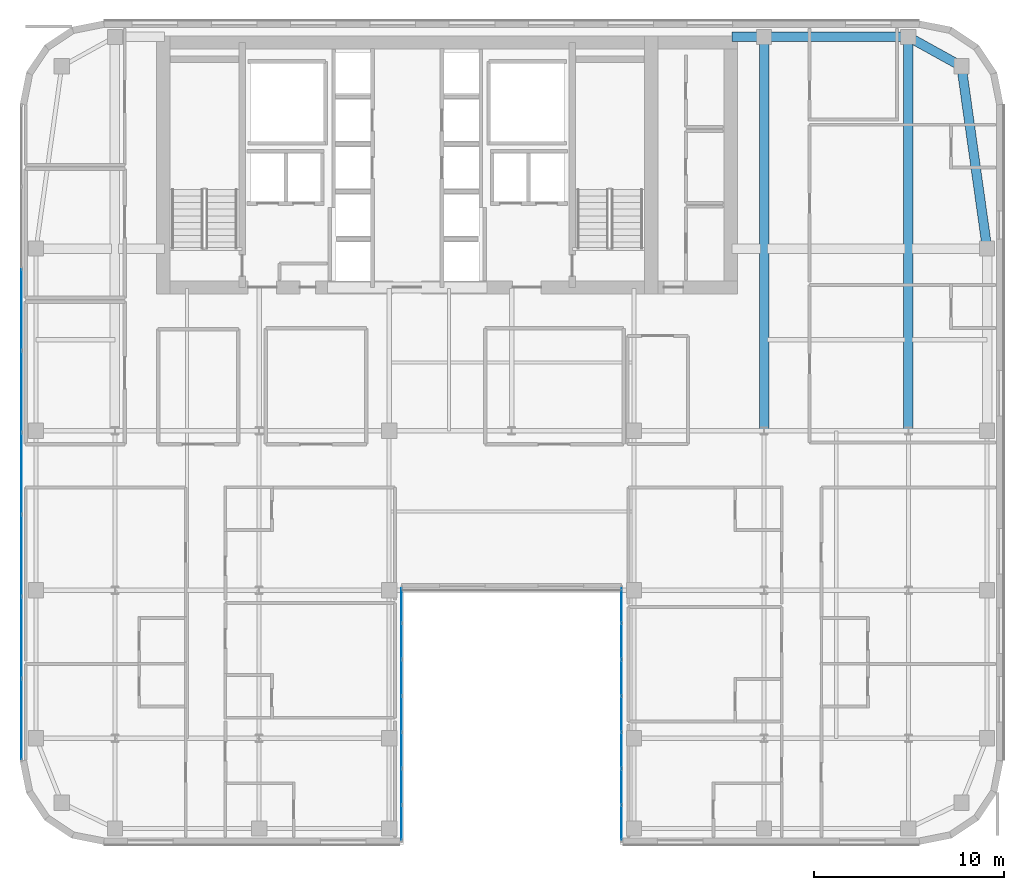
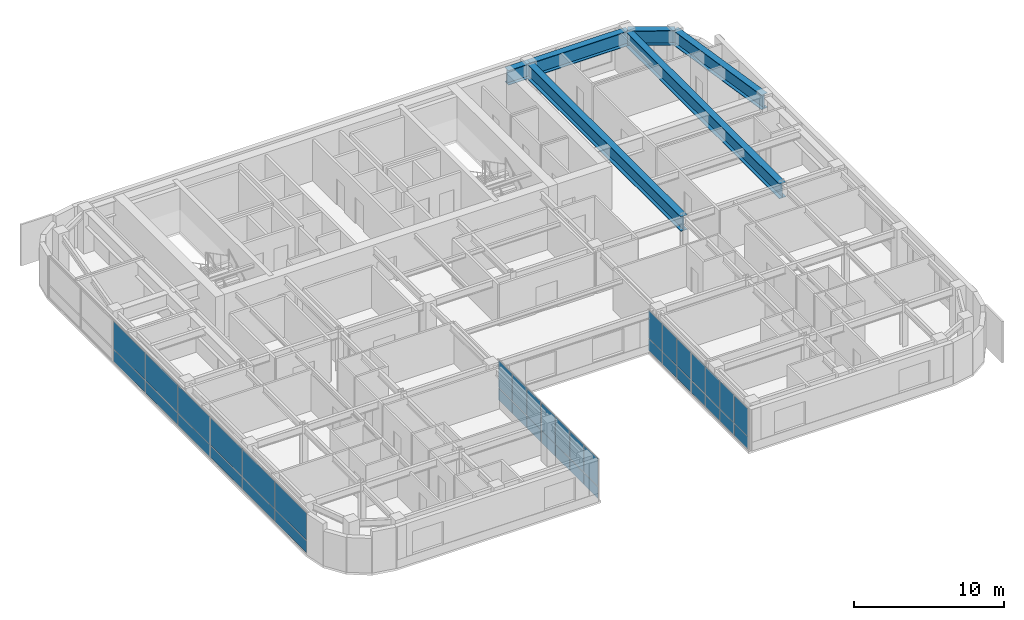
# One storey, part 16 of 28: 40 plates, 6 beams, 3 elements without a shape of their own.
"""IFC4 building model written with IfcOpenShell, lengths in metres."""

from ifc_helpers import new_model, si_unit, direction, frame, origin, origin_2d, place, context, subcontext, project, spatial, rectangle, i_section, extrude, source, transform, mapped, material, layer, layer_set, material_profile, profile_set, type_object, type_shapes, element, aggregate, save


model = new_model("IFC4")

# Units and contexts
model_context = context("Model", 3, precision=1e-05, world=origin(), true_north=direction((0.0, 1.0)))
body_context = subcontext(model_context, "Body", "Model", "MODEL_VIEW")
ifc_project = project(units=[si_unit("LENGTHUNIT", "METRE"), si_unit("AREAUNIT", "SQUARE_METRE"), si_unit("VOLUMEUNIT", "CUBIC_METRE"), si_unit("PLANEANGLEUNIT", "RADIAN"), si_unit("MASSUNIT", "GRAM", prefix="KILO")], contexts=[model_context])

# Site, building, storey
site_placement = place(None, origin())
site = spatial("IfcSite", under=ifc_project, at=site_placement, CompositionType="ELEMENT")
building_placement = place(site_placement, origin())
building = spatial("IfcBuilding", under=site, at=building_placement, Name="Tolvann Quenvar Hotel", CompositionType="ELEMENT")
storey_placement = place(building_placement, frame((0.0, 0.0, 198.199951171875)))
storey = spatial("IfcBuildingStorey", under=building, at=storey_placement, Name="L52", CompositionType="ELEMENT", Elevation=198.199951171875)

# Beams
ifc_material_1 = material(Name="Steel Grade 350", Category="steel")
ifc_material_profile = material_profile(ifc_material_1, i_section(OverallWidth=0.5, OverallDepth=1.199951171875, WebThickness=0.01611328125, FlangeThickness=0.0400390625, at=origin_2d()), Name="1200WB455")
ifc_profile_set = profile_set([ifc_material_profile], Name="Steel Grade 350")
beam_type = type_object("IfcBeamType", Name="BM_TG_1200WB455", PredefinedType="USERDEFINED", material=ifc_profile_set)
shared_shape_1 = source(origin(), body_context, "Body", "SweptSolid", [
    extrude(i_section(OverallWidth=0.5, OverallDepth=1.199951171875, WebThickness=0.01611328125, FlangeThickness=0.0400390625, at=origin_2d()), origin(), (0.0, 0.0, 1.0), 7.599853515625),
])
beam_1_placement = place(storey_placement, frame((49.39990234375, 45.14990234375, 2.77001953125), z_axis=(-1.0, 0.0, 0.0), x_axis=(0.0, -1.0, 0.0)))
element("IfcBeam", 1, at=beam_1_placement, inside=storey, type_object=beam_type, Name="BM-L52-FLK-E4", ObjectType="TRANSFER GIRDER", PredefinedType="USERDEFINED", context=body_context, shape_type="MappedRepresentation", body=[
    mapped(shared_shape_1, transform((0.0, 0.0, 0.0), x_axis=(1.0, 0.0, 0.0), y_axis=(0.0, 1.0, 0.0), z_axis=(0.0, 0.0, 1.0), scale=1.0)),
])
shared_shape_2 = source(origin(), body_context, "Body", "SweptSolid", [
    extrude(i_section(OverallWidth=0.5, OverallDepth=1.199951171875, WebThickness=0.01611328125, FlangeThickness=0.0400390625, at=origin_2d()), origin(), (0.0, 0.0, 1.0), 20.75),
])
for number, where, z_axis, x_axis, name in (
    (2, (41.800048828125, 24.39990234375, 2.77001953125), (0.0, 1.0, 0.0), (-1.0, 0.0, 0.0), "BM-L52-FLK-EH"),
    (3, (49.39990234375, 24.39990234375, 2.77001953125), (0.0, 1.0, 0.0), (-1.0, 0.0, 0.0), "BM-L52-FLK-EI"),
):
    element("IfcBeam", number, at=place(storey_placement, frame(where, z_axis=z_axis, x_axis=x_axis)), inside=storey, type_object=beam_type, Name=name, ObjectType="TRANSFER GIRDER", PredefinedType="USERDEFINED", context=body_context, shape_type="MappedRepresentation", body=[
        mapped(shared_shape_2, transform((0.0, 0.0, 0.0), x_axis=(1.0, 0.0, 0.0), y_axis=(0.0, 1.0, 0.0), z_axis=(0.0, 0.0, 1.0), scale=1.0)),
    ])
shared_shape_3 = source(origin(), body_context, "Body", "SweptSolid", [
    extrude(i_section(OverallWidth=0.5, OverallDepth=1.199951171875, WebThickness=0.01611328125, FlangeThickness=0.0400390625, at=origin_2d()), origin(), (0.0, 0.0, 1.0), 1.699951171875),
])
beam_2_placement = place(storey_placement, frame((40.10009765625, 45.14990234375, 2.77001953125), z_axis=(1.0, 0.0, 0.0), x_axis=(0.0, 1.0, 0.0)))
element("IfcBeam", 4, at=beam_2_placement, inside=storey, type_object=beam_type, Name="BM-L52-CTE-HN", ObjectType="TRANSFER GIRDER", PredefinedType="USERDEFINED", context=body_context, shape_type="MappedRepresentation", body=[
    mapped(shared_shape_3, transform((0.0, 0.0, 0.0), x_axis=(1.0, 0.0, 0.0), y_axis=(0.0, 1.0, 0.0), z_axis=(0.0, 0.0, 1.0), scale=1.0)),
])
shared_shape_4 = source(origin(), body_context, "Body", "SweptSolid", [
    extrude(i_section(OverallWidth=0.5, OverallDepth=1.199951171875, WebThickness=0.01611328125, FlangeThickness=0.0400390625, at=origin_2d()), origin(), (0.0, 0.0, 1.0), 9.694580078125),
])
beam_3_placement = place(storey_placement, frame((53.550048828125, 34.0, 2.77001953125), z_axis=(-0.139263320262, 0.990255385055, 0.0), x_axis=(-0.990255385055, -0.139263320262, 0.0)))
element("IfcBeam", 5, at=beam_3_placement, inside=storey, type_object=beam_type, Name="BM-L52-FLK-E2", ObjectType="TRANSFER GIRDER", PredefinedType="USERDEFINED", context=body_context, shape_type="MappedRepresentation", body=[
    mapped(shared_shape_4, transform((0.0, 0.0, 0.0), x_axis=(1.0, 0.0, 0.0), y_axis=(0.0, 1.0, 0.0), z_axis=(0.0, 0.0, 1.0), scale=1.0)),
])
shared_shape_5 = source(origin(), body_context, "Body", "SweptSolid", [
    extrude(i_section(OverallWidth=0.5, OverallDepth=1.199951171875, WebThickness=0.01611328125, FlangeThickness=0.0400390625, at=origin_2d()), origin(), (0.0, 0.0, 1.0), 3.200439453125),
])
type_shapes(beam_type, [shared_shape_1, shared_shape_2, shared_shape_3, shared_shape_4, shared_shape_5])
beam_4_placement = place(storey_placement, frame((52.199951171875, 43.60009765625, 2.77001953125), z_axis=(-0.87492264453, 0.48426270359, 0.0), x_axis=(-0.48426270359, -0.87492264453, 0.0)))
element("IfcBeam", 6, at=beam_4_placement, inside=storey, type_object=beam_type, Name="BM-L52-FLK-E3", ObjectType="TRANSFER GIRDER", PredefinedType="USERDEFINED", context=body_context, shape_type="MappedRepresentation", body=[
    mapped(shared_shape_5, transform((0.0, 0.0, 0.0), x_axis=(1.0, 0.0, 0.0), y_axis=(0.0, 1.0, 0.0), z_axis=(0.0, 0.0, 1.0), scale=1.0)),
])

# Curtain wall, plates
ifc_material_2 = material(Name="Thermally broken anodised architectural aluminium 6063-T6 and laminated low-E glass", Category="aluminium")
ifc_layer_1 = layer(ifc_material_2, 0.179931640625)
ifc_layer_set_1 = layer_set([ifc_layer_1], Name="Thermally broken anodised architectural aluminium 6063-T6 and laminated low-E glass")
curtain_wall_type_1 = type_object("IfcCurtainWallType", Name="CW_SYS_SLOT_03", PredefinedType="USERDEFINED", material=ifc_layer_set_1)
curtain_wall_1_placement = place(storey_placement, origin())
curtain_wall_1 = element("IfcCurtainWall", 7, at=curtain_wall_1_placement, inside=storey, type_object=curtain_wall_type_1, Name="Curtain Wall CW-SLOT-03 (CWR-L52-E05)", ObjectType="UNITISED CURTAIN WALL", PredefinedType="USERDEFINED")
ifc_material_3 = material(Name="Low-iron laminated double glazing with solar-control coating", Category="glass")
ifc_layer_2 = layer(ifc_material_3, 0.028076171875)
ifc_layer_set_2 = layer_set([ifc_layer_2], Name="Low-iron laminated double glazing with solar-control coating")
plate_type = type_object("IfcPlateType", Name="CW_PAN_VISION_28", PredefinedType="CURTAIN_PANEL", material=ifc_layer_set_2)
shared_shape_6 = source(origin(), body_context, "Body", "SweptSolid", [
    extrude(rectangle(XDim=1.809326171875, YDim=0.028076171875, at=origin_2d()), origin(), (0.0, 0.0, 1.0), 0.9599609375),
])
plate_1_placement = place(storey_placement, frame((22.7099609375, 3.749755859375, 0.06005859375), z_axis=(0.0, 0.0, 1.0), x_axis=(0.0, 1.0, 0.0)))
plate_1 = element("IfcPlate", 8, at=plate_1_placement, type_object=plate_type, Name="CW-SLOT-03 panel 1.1", PredefinedType="CURTAIN_PANEL", context=body_context, shape_type="MappedRepresentation", body=[
    mapped(shared_shape_6, transform((0.0, 0.0, 0.0), x_axis=(1.0, 0.0, 0.0), y_axis=(0.0, 1.0, 0.0), z_axis=(0.0, 0.0, 1.0), scale=1.0)),
])
plate_2_placement = place(storey_placement, frame((22.7099609375, 15.200439453125, 0.06005859375), z_axis=(0.0, 0.0, 1.0), x_axis=(0.0, 1.0, 0.0)))
plate_2 = element("IfcPlate", 9, at=plate_2_placement, type_object=plate_type, Name="CW-SLOT-03 panel 7.1", PredefinedType="CURTAIN_PANEL", context=body_context, shape_type="MappedRepresentation", body=[
    mapped(shared_shape_6, transform((0.0, 0.0, 0.0), x_axis=(1.0, 0.0, 0.0), y_axis=(0.0, 1.0, 0.0), z_axis=(0.0, 0.0, 1.0), scale=1.0)),
])

curtain_wall_2_placement = place(storey_placement, origin())
curtain_wall_2 = element("IfcCurtainWall", 10, at=curtain_wall_2_placement, inside=storey, type_object=curtain_wall_type_1, Name="Curtain Wall CW-SLOT-03 (CWR-L52-E07)", ObjectType="UNITISED CURTAIN WALL", PredefinedType="USERDEFINED")
plate_3_placement = place(storey_placement, frame((34.2900390625, 15.200439453125, 0.06005859375), z_axis=(0.0, 0.0, 1.0), x_axis=(0.0, -1.0, 0.0)))
plate_3 = element("IfcPlate", 11, at=plate_3_placement, type_object=plate_type, Name="CW-SLOT-03 panel 1.1", PredefinedType="CURTAIN_PANEL", context=body_context, shape_type="MappedRepresentation", body=[
    mapped(shared_shape_6, transform((0.0, 0.0, 0.0), x_axis=(1.0, 0.0, 0.0), y_axis=(0.0, 1.0, 0.0), z_axis=(0.0, 0.0, 1.0), scale=1.0)),
])
plate_4_placement = place(storey_placement, frame((34.2900390625, 3.749755859375, 0.06005859375), z_axis=(0.0, 0.0, 1.0), x_axis=(0.0, -1.0, 0.0)))
plate_4 = element("IfcPlate", 12, at=plate_4_placement, type_object=plate_type, Name="CW-SLOT-03 panel 7.1", PredefinedType="CURTAIN_PANEL", context=body_context, shape_type="MappedRepresentation", body=[
    mapped(shared_shape_6, transform((0.0, 0.0, 0.0), x_axis=(1.0, 0.0, 0.0), y_axis=(0.0, 1.0, 0.0), z_axis=(0.0, 0.0, 1.0), scale=1.0)),
])

# Plate
shared_shape_7 = source(origin(), body_context, "Body", "SweptSolid", [
    extrude(rectangle(XDim=1.809326171875, YDim=0.028076171875, at=origin_2d()), origin(), (0.0, 0.0, 1.0), 2.22998046875),
])
plate_5_placement = place(storey_placement, frame((22.7099609375, 3.749755859375, 1.080078125), z_axis=(0.0, 0.0, 1.0), x_axis=(0.0, 1.0, 0.0)))
plate_5 = element("IfcPlate", 13, at=plate_5_placement, type_object=plate_type, Name="CW-SLOT-03 panel 1.2", PredefinedType="CURTAIN_PANEL", context=body_context, shape_type="MappedRepresentation", body=[
    mapped(shared_shape_7, transform((0.0, 0.0, 0.0), x_axis=(1.0, 0.0, 0.0), y_axis=(0.0, 1.0, 0.0), z_axis=(0.0, 0.0, 1.0), scale=1.0)),
])

plate_6_placement = place(storey_placement, frame((22.7099609375, 15.200439453125, 1.080078125), z_axis=(0.0, 0.0, 1.0), x_axis=(0.0, 1.0, 0.0)))
plate_6 = element("IfcPlate", 14, at=plate_6_placement, type_object=plate_type, Name="CW-SLOT-03 panel 7.2", PredefinedType="CURTAIN_PANEL", context=body_context, shape_type="MappedRepresentation", body=[
    mapped(shared_shape_7, transform((0.0, 0.0, 0.0), x_axis=(1.0, 0.0, 0.0), y_axis=(0.0, 1.0, 0.0), z_axis=(0.0, 0.0, 1.0), scale=1.0)),
])

plate_7_placement = place(storey_placement, frame((34.2900390625, 15.200439453125, 1.080078125), z_axis=(0.0, 0.0, 1.0), x_axis=(0.0, -1.0, 0.0)))
plate_7 = element("IfcPlate", 15, at=plate_7_placement, type_object=plate_type, Name="CW-SLOT-03 panel 1.2", PredefinedType="CURTAIN_PANEL", context=body_context, shape_type="MappedRepresentation", body=[
    mapped(shared_shape_7, transform((0.0, 0.0, 0.0), x_axis=(1.0, 0.0, 0.0), y_axis=(0.0, 1.0, 0.0), z_axis=(0.0, 0.0, 1.0), scale=1.0)),
])

plate_8_placement = place(storey_placement, frame((34.2900390625, 3.749755859375, 1.080078125), z_axis=(0.0, 0.0, 1.0), x_axis=(0.0, -1.0, 0.0)))
plate_8 = element("IfcPlate", 16, at=plate_8_placement, type_object=plate_type, Name="CW-SLOT-03 panel 7.2", PredefinedType="CURTAIN_PANEL", context=body_context, shape_type="MappedRepresentation", body=[
    mapped(shared_shape_7, transform((0.0, 0.0, 0.0), x_axis=(1.0, 0.0, 0.0), y_axis=(0.0, 1.0, 0.0), z_axis=(0.0, 0.0, 1.0), scale=1.0)),
])

shared_shape_8 = source(origin(), body_context, "Body", "SweptSolid", [
    extrude(rectangle(XDim=1.84423828125, YDim=0.028076171875, at=origin_2d()), origin(), (0.0, 0.0, 1.0), 0.9599609375),
])
plate_9_placement = place(storey_placement, frame((22.7099609375, 5.646484375, 0.06005859375), z_axis=(0.0, 0.0, 1.0), x_axis=(0.0, 1.0, 0.0)))
plate_9 = element("IfcPlate", 17, at=plate_9_placement, type_object=plate_type, Name="CW-SLOT-03 panel 2.1", PredefinedType="CURTAIN_PANEL", context=body_context, shape_type="MappedRepresentation", body=[
    mapped(shared_shape_8, transform((0.0, 0.0, 0.0), x_axis=(1.0, 0.0, 0.0), y_axis=(0.0, 1.0, 0.0), z_axis=(0.0, 0.0, 1.0), scale=1.0)),
])

plate_10_placement = place(storey_placement, frame((22.7099609375, 7.560791015625, 0.06005859375), z_axis=(0.0, 0.0, 1.0), x_axis=(0.0, 1.0, 0.0)))
plate_10 = element("IfcPlate", 18, at=plate_10_placement, type_object=plate_type, Name="CW-SLOT-03 panel 3.1", PredefinedType="CURTAIN_PANEL", context=body_context, shape_type="MappedRepresentation", body=[
    mapped(shared_shape_8, transform((0.0, 0.0, 0.0), x_axis=(1.0, 0.0, 0.0), y_axis=(0.0, 1.0, 0.0), z_axis=(0.0, 0.0, 1.0), scale=1.0)),
])

plate_11_placement = place(storey_placement, frame((22.7099609375, 9.47509765625, 0.06005859375), z_axis=(0.0, 0.0, 1.0), x_axis=(0.0, 1.0, 0.0)))
plate_11 = element("IfcPlate", 19, at=plate_11_placement, type_object=plate_type, Name="CW-SLOT-03 panel 4.1", PredefinedType="CURTAIN_PANEL", context=body_context, shape_type="MappedRepresentation", body=[
    mapped(shared_shape_8, transform((0.0, 0.0, 0.0), x_axis=(1.0, 0.0, 0.0), y_axis=(0.0, 1.0, 0.0), z_axis=(0.0, 0.0, 1.0), scale=1.0)),
])

plate_12_placement = place(storey_placement, frame((22.7099609375, 11.389404296875, 0.06005859375), z_axis=(0.0, 0.0, 1.0), x_axis=(0.0, 1.0, 0.0)))
plate_12 = element("IfcPlate", 20, at=plate_12_placement, type_object=plate_type, Name="CW-SLOT-03 panel 5.1", PredefinedType="CURTAIN_PANEL", context=body_context, shape_type="MappedRepresentation", body=[
    mapped(shared_shape_8, transform((0.0, 0.0, 0.0), x_axis=(1.0, 0.0, 0.0), y_axis=(0.0, 1.0, 0.0), z_axis=(0.0, 0.0, 1.0), scale=1.0)),
])

plate_13_placement = place(storey_placement, frame((22.7099609375, 13.303466796875, 0.06005859375), z_axis=(0.0, 0.0, 1.0), x_axis=(0.0, 1.0, 0.0)))
plate_13 = element("IfcPlate", 21, at=plate_13_placement, type_object=plate_type, Name="CW-SLOT-03 panel 6.1", PredefinedType="CURTAIN_PANEL", context=body_context, shape_type="MappedRepresentation", body=[
    mapped(shared_shape_8, transform((0.0, 0.0, 0.0), x_axis=(1.0, 0.0, 0.0), y_axis=(0.0, 1.0, 0.0), z_axis=(0.0, 0.0, 1.0), scale=1.0)),
])

plate_14_placement = place(storey_placement, frame((34.2900390625, 13.303466796875, 0.06005859375), z_axis=(0.0, 0.0, 1.0), x_axis=(0.0, -1.0, 0.0)))
plate_14 = element("IfcPlate", 22, at=plate_14_placement, type_object=plate_type, Name="CW-SLOT-03 panel 2.1", PredefinedType="CURTAIN_PANEL", context=body_context, shape_type="MappedRepresentation", body=[
    mapped(shared_shape_8, transform((0.0, 0.0, 0.0), x_axis=(1.0, 0.0, 0.0), y_axis=(0.0, 1.0, 0.0), z_axis=(0.0, 0.0, 1.0), scale=1.0)),
])

plate_15_placement = place(storey_placement, frame((34.2900390625, 11.389404296875, 0.06005859375), z_axis=(0.0, 0.0, 1.0), x_axis=(0.0, -1.0, 0.0)))
plate_15 = element("IfcPlate", 23, at=plate_15_placement, type_object=plate_type, Name="CW-SLOT-03 panel 3.1", PredefinedType="CURTAIN_PANEL", context=body_context, shape_type="MappedRepresentation", body=[
    mapped(shared_shape_8, transform((0.0, 0.0, 0.0), x_axis=(1.0, 0.0, 0.0), y_axis=(0.0, 1.0, 0.0), z_axis=(0.0, 0.0, 1.0), scale=1.0)),
])

plate_16_placement = place(storey_placement, frame((34.2900390625, 9.47509765625, 0.06005859375), z_axis=(0.0, 0.0, 1.0), x_axis=(0.0, -1.0, 0.0)))
plate_16 = element("IfcPlate", 24, at=plate_16_placement, type_object=plate_type, Name="CW-SLOT-03 panel 4.1", PredefinedType="CURTAIN_PANEL", context=body_context, shape_type="MappedRepresentation", body=[
    mapped(shared_shape_8, transform((0.0, 0.0, 0.0), x_axis=(1.0, 0.0, 0.0), y_axis=(0.0, 1.0, 0.0), z_axis=(0.0, 0.0, 1.0), scale=1.0)),
])

plate_17_placement = place(storey_placement, frame((34.2900390625, 7.560791015625, 0.06005859375), z_axis=(0.0, 0.0, 1.0), x_axis=(0.0, -1.0, 0.0)))
plate_17 = element("IfcPlate", 25, at=plate_17_placement, type_object=plate_type, Name="CW-SLOT-03 panel 5.1", PredefinedType="CURTAIN_PANEL", context=body_context, shape_type="MappedRepresentation", body=[
    mapped(shared_shape_8, transform((0.0, 0.0, 0.0), x_axis=(1.0, 0.0, 0.0), y_axis=(0.0, 1.0, 0.0), z_axis=(0.0, 0.0, 1.0), scale=1.0)),
])

plate_18_placement = place(storey_placement, frame((34.2900390625, 5.646484375, 0.06005859375), z_axis=(0.0, 0.0, 1.0), x_axis=(0.0, -1.0, 0.0)))
plate_18 = element("IfcPlate", 26, at=plate_18_placement, type_object=plate_type, Name="CW-SLOT-03 panel 6.1", PredefinedType="CURTAIN_PANEL", context=body_context, shape_type="MappedRepresentation", body=[
    mapped(shared_shape_8, transform((0.0, 0.0, 0.0), x_axis=(1.0, 0.0, 0.0), y_axis=(0.0, 1.0, 0.0), z_axis=(0.0, 0.0, 1.0), scale=1.0)),
])

shared_shape_9 = source(origin(), body_context, "Body", "SweptSolid", [
    extrude(rectangle(XDim=1.84423828125, YDim=0.028076171875, at=origin_2d()), origin(), (0.0, 0.0, 1.0), 2.22998046875),
])
plate_19_placement = place(storey_placement, frame((22.7099609375, 5.646484375, 1.080078125), z_axis=(0.0, 0.0, 1.0), x_axis=(0.0, 1.0, 0.0)))
plate_19 = element("IfcPlate", 27, at=plate_19_placement, type_object=plate_type, Name="CW-SLOT-03 panel 2.2", PredefinedType="CURTAIN_PANEL", context=body_context, shape_type="MappedRepresentation", body=[
    mapped(shared_shape_9, transform((0.0, 0.0, 0.0), x_axis=(1.0, 0.0, 0.0), y_axis=(0.0, 1.0, 0.0), z_axis=(0.0, 0.0, 1.0), scale=1.0)),
])

plate_20_placement = place(storey_placement, frame((22.7099609375, 7.560791015625, 1.080078125), z_axis=(0.0, 0.0, 1.0), x_axis=(0.0, 1.0, 0.0)))
plate_20 = element("IfcPlate", 28, at=plate_20_placement, type_object=plate_type, Name="CW-SLOT-03 panel 3.2", PredefinedType="CURTAIN_PANEL", context=body_context, shape_type="MappedRepresentation", body=[
    mapped(shared_shape_9, transform((0.0, 0.0, 0.0), x_axis=(1.0, 0.0, 0.0), y_axis=(0.0, 1.0, 0.0), z_axis=(0.0, 0.0, 1.0), scale=1.0)),
])

plate_21_placement = place(storey_placement, frame((22.7099609375, 9.47509765625, 1.080078125), z_axis=(0.0, 0.0, 1.0), x_axis=(0.0, 1.0, 0.0)))
plate_21 = element("IfcPlate", 29, at=plate_21_placement, type_object=plate_type, Name="CW-SLOT-03 panel 4.2", PredefinedType="CURTAIN_PANEL", context=body_context, shape_type="MappedRepresentation", body=[
    mapped(shared_shape_9, transform((0.0, 0.0, 0.0), x_axis=(1.0, 0.0, 0.0), y_axis=(0.0, 1.0, 0.0), z_axis=(0.0, 0.0, 1.0), scale=1.0)),
])

plate_22_placement = place(storey_placement, frame((22.7099609375, 11.389404296875, 1.080078125), z_axis=(0.0, 0.0, 1.0), x_axis=(0.0, 1.0, 0.0)))
plate_22 = element("IfcPlate", 30, at=plate_22_placement, type_object=plate_type, Name="CW-SLOT-03 panel 5.2", PredefinedType="CURTAIN_PANEL", context=body_context, shape_type="MappedRepresentation", body=[
    mapped(shared_shape_9, transform((0.0, 0.0, 0.0), x_axis=(1.0, 0.0, 0.0), y_axis=(0.0, 1.0, 0.0), z_axis=(0.0, 0.0, 1.0), scale=1.0)),
])

plate_23_placement = place(storey_placement, frame((22.7099609375, 13.303466796875, 1.080078125), z_axis=(0.0, 0.0, 1.0), x_axis=(0.0, 1.0, 0.0)))
plate_23 = element("IfcPlate", 31, at=plate_23_placement, type_object=plate_type, Name="CW-SLOT-03 panel 6.2", PredefinedType="CURTAIN_PANEL", context=body_context, shape_type="MappedRepresentation", body=[
    mapped(shared_shape_9, transform((0.0, 0.0, 0.0), x_axis=(1.0, 0.0, 0.0), y_axis=(0.0, 1.0, 0.0), z_axis=(0.0, 0.0, 1.0), scale=1.0)),
])

aggregate(curtain_wall_1, [plate_1, plate_5, plate_9, plate_19, plate_10, plate_20, plate_11, plate_21, plate_12, plate_22, plate_13, plate_23, plate_2, plate_6])

plate_24_placement = place(storey_placement, frame((34.2900390625, 13.303466796875, 1.080078125), z_axis=(0.0, 0.0, 1.0), x_axis=(0.0, -1.0, 0.0)))
plate_24 = element("IfcPlate", 32, at=plate_24_placement, type_object=plate_type, Name="CW-SLOT-03 panel 2.2", PredefinedType="CURTAIN_PANEL", context=body_context, shape_type="MappedRepresentation", body=[
    mapped(shared_shape_9, transform((0.0, 0.0, 0.0), x_axis=(1.0, 0.0, 0.0), y_axis=(0.0, 1.0, 0.0), z_axis=(0.0, 0.0, 1.0), scale=1.0)),
])

plate_25_placement = place(storey_placement, frame((34.2900390625, 11.389404296875, 1.080078125), z_axis=(0.0, 0.0, 1.0), x_axis=(0.0, -1.0, 0.0)))
plate_25 = element("IfcPlate", 33, at=plate_25_placement, type_object=plate_type, Name="CW-SLOT-03 panel 3.2", PredefinedType="CURTAIN_PANEL", context=body_context, shape_type="MappedRepresentation", body=[
    mapped(shared_shape_9, transform((0.0, 0.0, 0.0), x_axis=(1.0, 0.0, 0.0), y_axis=(0.0, 1.0, 0.0), z_axis=(0.0, 0.0, 1.0), scale=1.0)),
])

plate_26_placement = place(storey_placement, frame((34.2900390625, 9.47509765625, 1.080078125), z_axis=(0.0, 0.0, 1.0), x_axis=(0.0, -1.0, 0.0)))
plate_26 = element("IfcPlate", 34, at=plate_26_placement, type_object=plate_type, Name="CW-SLOT-03 panel 4.2", PredefinedType="CURTAIN_PANEL", context=body_context, shape_type="MappedRepresentation", body=[
    mapped(shared_shape_9, transform((0.0, 0.0, 0.0), x_axis=(1.0, 0.0, 0.0), y_axis=(0.0, 1.0, 0.0), z_axis=(0.0, 0.0, 1.0), scale=1.0)),
])

plate_27_placement = place(storey_placement, frame((34.2900390625, 7.560791015625, 1.080078125), z_axis=(0.0, 0.0, 1.0), x_axis=(0.0, -1.0, 0.0)))
plate_27 = element("IfcPlate", 35, at=plate_27_placement, type_object=plate_type, Name="CW-SLOT-03 panel 5.2", PredefinedType="CURTAIN_PANEL", context=body_context, shape_type="MappedRepresentation", body=[
    mapped(shared_shape_9, transform((0.0, 0.0, 0.0), x_axis=(1.0, 0.0, 0.0), y_axis=(0.0, 1.0, 0.0), z_axis=(0.0, 0.0, 1.0), scale=1.0)),
])

plate_28_placement = place(storey_placement, frame((34.2900390625, 5.646484375, 1.080078125), z_axis=(0.0, 0.0, 1.0), x_axis=(0.0, -1.0, 0.0)))
plate_28 = element("IfcPlate", 36, at=plate_28_placement, type_object=plate_type, Name="CW-SLOT-03 panel 6.2", PredefinedType="CURTAIN_PANEL", context=body_context, shape_type="MappedRepresentation", body=[
    mapped(shared_shape_9, transform((0.0, 0.0, 0.0), x_axis=(1.0, 0.0, 0.0), y_axis=(0.0, 1.0, 0.0), z_axis=(0.0, 0.0, 1.0), scale=1.0)),
])

aggregate(curtain_wall_2, [plate_3, plate_7, plate_14, plate_24, plate_15, plate_25, plate_16, plate_26, plate_17, plate_27, plate_18, plate_28, plate_4, plate_8])

# Curtain wall, plates
ifc_layer_3 = layer(ifc_material_2, 0.179931640625)
ifc_layer_set_3 = layer_set([ifc_layer_3], Name="Thermally broken anodised architectural aluminium 6063-T6 and laminated low-E glass")
curtain_wall_type_2 = type_object("IfcCurtainWallType", Name="CW_SYS_BAND_04", PredefinedType="USERDEFINED", material=ifc_layer_set_3)
curtain_wall_3_placement = place(storey_placement, origin())
curtain_wall_3 = element("IfcCurtainWall", 37, at=curtain_wall_3_placement, inside=storey, type_object=curtain_wall_type_2, Name="Curtain Wall CW-BAND-04 (CWR-L52-E23)", ObjectType="UNITISED CURTAIN WALL", PredefinedType="USERDEFINED")
shared_shape_10 = source(origin(), body_context, "Body", "SweptSolid", [
    extrude(rectangle(XDim=4.2158203125, YDim=0.028076171875, at=origin_2d()), origin(), (0.0, 0.0, 1.0), 0.9599609375),
])
plate_29_placement = place(storey_placement, frame((2.68994140625, 9.195068359375, 0.06005859375), z_axis=(0.0, 0.0, 1.0), x_axis=(0.0, -1.0, 0.0)))
plate_29 = element("IfcPlate", 38, at=plate_29_placement, type_object=plate_type, Name="CW-BAND-04 panel 8.1", PredefinedType="CURTAIN_PANEL", context=body_context, shape_type="MappedRepresentation", body=[
    mapped(shared_shape_10, transform((0.0, 0.0, 0.0), x_axis=(1.0, 0.0, 0.0), y_axis=(0.0, 1.0, 0.0), z_axis=(0.0, 0.0, 1.0), scale=1.0)),
])
shared_shape_11 = source(origin(), body_context, "Body", "SweptSolid", [
    extrude(rectangle(XDim=4.2158203125, YDim=0.028076171875, at=origin_2d()), origin(), (0.0, 0.0, 1.0), 2.22998046875),
])
plate_30_placement = place(storey_placement, frame((2.68994140625, 9.195068359375, 1.080078125), z_axis=(0.0, 0.0, 1.0), x_axis=(0.0, -1.0, 0.0)))
plate_30 = element("IfcPlate", 39, at=plate_30_placement, type_object=plate_type, Name="CW-BAND-04 panel 8.2", PredefinedType="CURTAIN_PANEL", context=body_context, shape_type="MappedRepresentation", body=[
    mapped(shared_shape_11, transform((0.0, 0.0, 0.0), x_axis=(1.0, 0.0, 0.0), y_axis=(0.0, 1.0, 0.0), z_axis=(0.0, 0.0, 1.0), scale=1.0)),
])
shared_shape_12 = source(origin(), body_context, "Body", "SweptSolid", [
    extrude(rectangle(XDim=4.250732421875, YDim=0.028076171875, at=origin_2d()), origin(), (0.0, 0.0, 1.0), 0.9599609375),
])
plate_31_placement = place(storey_placement, frame((2.68994140625, 30.781005859375, 0.06005859375), z_axis=(0.0, 0.0, 1.0), x_axis=(0.0, -1.0, 0.0)))
plate_31 = element("IfcPlate", 40, at=plate_31_placement, type_object=plate_type, Name="CW-BAND-04 panel 3.1", PredefinedType="CURTAIN_PANEL", context=body_context, shape_type="MappedRepresentation", body=[
    mapped(shared_shape_12, transform((0.0, 0.0, 0.0), x_axis=(1.0, 0.0, 0.0), y_axis=(0.0, 1.0, 0.0), z_axis=(0.0, 0.0, 1.0), scale=1.0)),
])
plate_32_placement = place(storey_placement, frame((2.68994140625, 26.46044921875, 0.06005859375), z_axis=(0.0, 0.0, 1.0), x_axis=(0.0, -1.0, 0.0)))
plate_32 = element("IfcPlate", 41, at=plate_32_placement, type_object=plate_type, Name="CW-BAND-04 panel 4.1", PredefinedType="CURTAIN_PANEL", context=body_context, shape_type="MappedRepresentation", body=[
    mapped(shared_shape_12, transform((0.0, 0.0, 0.0), x_axis=(1.0, 0.0, 0.0), y_axis=(0.0, 1.0, 0.0), z_axis=(0.0, 0.0, 1.0), scale=1.0)),
])
plate_33_placement = place(storey_placement, frame((2.68994140625, 22.1396484375, 0.06005859375), z_axis=(0.0, 0.0, 1.0), x_axis=(0.0, -1.0, 0.0)))
plate_33 = element("IfcPlate", 42, at=plate_33_placement, type_object=plate_type, Name="CW-BAND-04 panel 5.1", PredefinedType="CURTAIN_PANEL", context=body_context, shape_type="MappedRepresentation", body=[
    mapped(shared_shape_12, transform((0.0, 0.0, 0.0), x_axis=(1.0, 0.0, 0.0), y_axis=(0.0, 1.0, 0.0), z_axis=(0.0, 0.0, 1.0), scale=1.0)),
])
plate_34_placement = place(storey_placement, frame((2.68994140625, 17.81884765625, 0.06005859375), z_axis=(0.0, 0.0, 1.0), x_axis=(0.0, -1.0, 0.0)))
plate_34 = element("IfcPlate", 43, at=plate_34_placement, type_object=plate_type, Name="CW-BAND-04 panel 6.1", PredefinedType="CURTAIN_PANEL", context=body_context, shape_type="MappedRepresentation", body=[
    mapped(shared_shape_12, transform((0.0, 0.0, 0.0), x_axis=(1.0, 0.0, 0.0), y_axis=(0.0, 1.0, 0.0), z_axis=(0.0, 0.0, 1.0), scale=1.0)),
])
plate_35_placement = place(storey_placement, frame((2.68994140625, 13.498291015625, 0.06005859375), z_axis=(0.0, 0.0, 1.0), x_axis=(0.0, -1.0, 0.0)))
plate_35 = element("IfcPlate", 44, at=plate_35_placement, type_object=plate_type, Name="CW-BAND-04 panel 7.1", PredefinedType="CURTAIN_PANEL", context=body_context, shape_type="MappedRepresentation", body=[
    mapped(shared_shape_12, transform((0.0, 0.0, 0.0), x_axis=(1.0, 0.0, 0.0), y_axis=(0.0, 1.0, 0.0), z_axis=(0.0, 0.0, 1.0), scale=1.0)),
])
shared_shape_13 = source(origin(), body_context, "Body", "SweptSolid", [
    extrude(rectangle(XDim=4.250732421875, YDim=0.028076171875, at=origin_2d()), origin(), (0.0, 0.0, 1.0), 2.22998046875),
])
type_shapes(plate_type, [shared_shape_6, shared_shape_7, shared_shape_8, shared_shape_9, shared_shape_10, shared_shape_11, shared_shape_12, shared_shape_13])
plate_36_placement = place(storey_placement, frame((2.68994140625, 30.781005859375, 1.080078125), z_axis=(0.0, 0.0, 1.0), x_axis=(0.0, -1.0, 0.0)))
plate_36 = element("IfcPlate", 45, at=plate_36_placement, type_object=plate_type, Name="CW-BAND-04 panel 3.2", PredefinedType="CURTAIN_PANEL", context=body_context, shape_type="MappedRepresentation", body=[
    mapped(shared_shape_13, transform((0.0, 0.0, 0.0), x_axis=(1.0, 0.0, 0.0), y_axis=(0.0, 1.0, 0.0), z_axis=(0.0, 0.0, 1.0), scale=1.0)),
])
plate_37_placement = place(storey_placement, frame((2.68994140625, 26.46044921875, 1.080078125), z_axis=(0.0, 0.0, 1.0), x_axis=(0.0, -1.0, 0.0)))
plate_37 = element("IfcPlate", 46, at=plate_37_placement, type_object=plate_type, Name="CW-BAND-04 panel 4.2", PredefinedType="CURTAIN_PANEL", context=body_context, shape_type="MappedRepresentation", body=[
    mapped(shared_shape_13, transform((0.0, 0.0, 0.0), x_axis=(1.0, 0.0, 0.0), y_axis=(0.0, 1.0, 0.0), z_axis=(0.0, 0.0, 1.0), scale=1.0)),
])
plate_38_placement = place(storey_placement, frame((2.68994140625, 22.1396484375, 1.080078125), z_axis=(0.0, 0.0, 1.0), x_axis=(0.0, -1.0, 0.0)))
plate_38 = element("IfcPlate", 47, at=plate_38_placement, type_object=plate_type, Name="CW-BAND-04 panel 5.2", PredefinedType="CURTAIN_PANEL", context=body_context, shape_type="MappedRepresentation", body=[
    mapped(shared_shape_13, transform((0.0, 0.0, 0.0), x_axis=(1.0, 0.0, 0.0), y_axis=(0.0, 1.0, 0.0), z_axis=(0.0, 0.0, 1.0), scale=1.0)),
])
plate_39_placement = place(storey_placement, frame((2.68994140625, 17.81884765625, 1.080078125), z_axis=(0.0, 0.0, 1.0), x_axis=(0.0, -1.0, 0.0)))
plate_39 = element("IfcPlate", 48, at=plate_39_placement, type_object=plate_type, Name="CW-BAND-04 panel 6.2", PredefinedType="CURTAIN_PANEL", context=body_context, shape_type="MappedRepresentation", body=[
    mapped(shared_shape_13, transform((0.0, 0.0, 0.0), x_axis=(1.0, 0.0, 0.0), y_axis=(0.0, 1.0, 0.0), z_axis=(0.0, 0.0, 1.0), scale=1.0)),
])
plate_40_placement = place(storey_placement, frame((2.68994140625, 13.498291015625, 1.080078125), z_axis=(0.0, 0.0, 1.0), x_axis=(0.0, -1.0, 0.0)))
plate_40 = element("IfcPlate", 49, at=plate_40_placement, type_object=plate_type, Name="CW-BAND-04 panel 7.2", PredefinedType="CURTAIN_PANEL", context=body_context, shape_type="MappedRepresentation", body=[
    mapped(shared_shape_13, transform((0.0, 0.0, 0.0), x_axis=(1.0, 0.0, 0.0), y_axis=(0.0, 1.0, 0.0), z_axis=(0.0, 0.0, 1.0), scale=1.0)),
])
aggregate(curtain_wall_3, [plate_31, plate_36, plate_32, plate_37, plate_33, plate_38, plate_34, plate_39, plate_35, plate_40, plate_29, plate_30])

save(model, "model.ifc")
